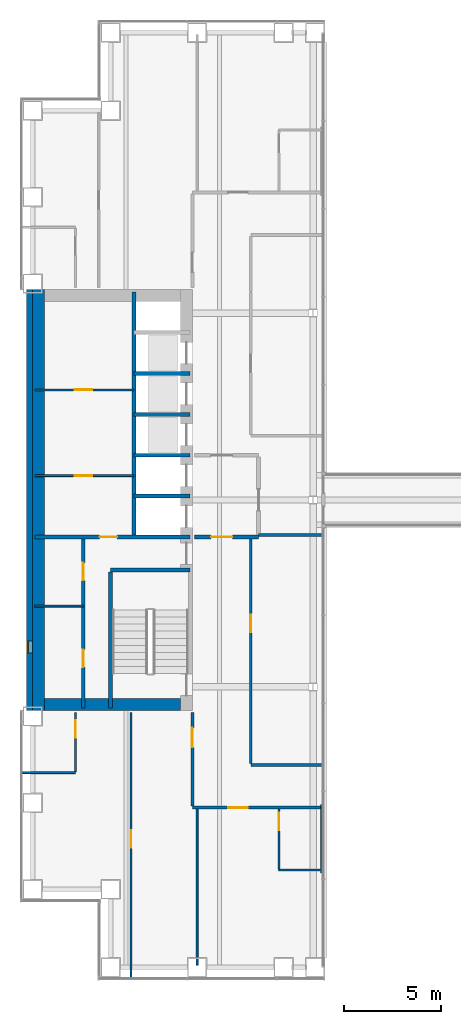
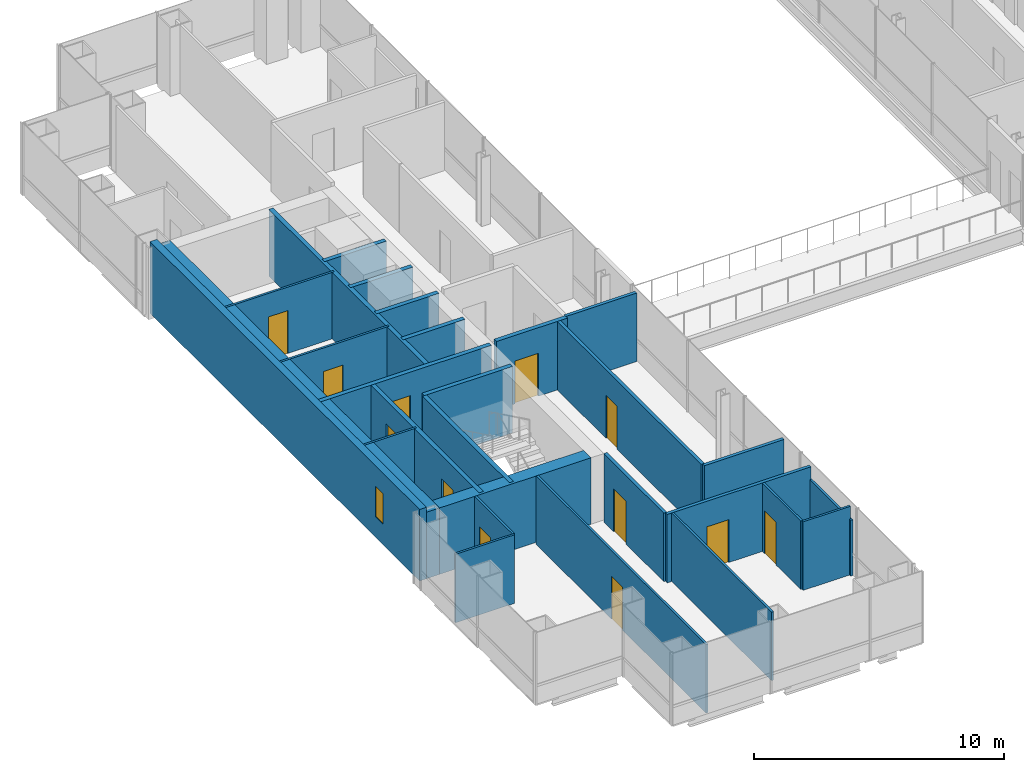
# One storey, part 14 of 19: 28 walls, 12 doors, 1 window, 13 openings.
"""IFC4 building model written with IfcOpenShell, lengths in metres."""

from ifc_helpers import new_model, si_unit, direction, frame, frame_2d, origin, place, context, subcontext, project, spatial, rectangle, extrude, material, layer, layer_set, type_object, element, fill, save


model = new_model("IFC4")

# Units and contexts
model_context = context("Model", 3, precision=1e-05, world=origin(), true_north=direction((0.0, 1.0)))
body_context = subcontext(model_context, "Body", "Model", "MODEL_VIEW")
ifc_project = project(units=[si_unit("LENGTHUNIT", "METRE"), si_unit("AREAUNIT", "SQUARE_METRE"), si_unit("VOLUMEUNIT", "CUBIC_METRE"), si_unit("PLANEANGLEUNIT", "RADIAN"), si_unit("MASSUNIT", "GRAM", prefix="KILO")], contexts=[model_context])

# Site, building, storey
site_placement = place(None, origin())
site = spatial("IfcSite", under=ifc_project, at=site_placement, CompositionType="ELEMENT")
building_placement = place(site_placement, origin())
building = spatial("IfcBuilding", under=site, at=building_placement, Name="Cobrizo Arcos Hotel Tower", CompositionType="ELEMENT")
storey_placement = place(building_placement, frame((0.0, 0.0, 63.5)))
storey = spatial("IfcBuildingStorey", under=building, at=storey_placement, Name="L14", CompositionType="ELEMENT", Elevation=63.5)

# Wall, opening, door
ifc_material_1 = material(Name="Gypsum board partition")
ifc_layer_1 = layer(ifc_material_1, 0.14990234375)
ifc_layer_set_1 = layer_set([ifc_layer_1], Name="Corridor wall EI 60 150")
wall_type_1 = type_object("IfcWallType", Name="Corridor wall EI 60 150", PredefinedType="PARTITIONING", material=ifc_layer_set_1)
wall_1_placement = place(storey_placement, frame((-15.800048828125, -15.800048828125, 0.0), z_axis=(0.0, 0.0, 1.0), x_axis=(1.0, 0.0, 0.0)))
wall_1 = element("IfcWall", 1, at=wall_1_placement, inside=storey, type_object=wall_type_1, Name="Partition 005", PredefinedType="PARTITIONING", context=body_context, shape_type="SweptSolid", body=[
    extrude(rectangle(XDim=6.650146484375, YDim=0.14990234375, at=frame_2d((3.3251953125, 0.0))), origin(), (0.0, 0.0, 1.0), 3.35009765625),
])
opening_1_placement = place(wall_1_placement, frame((1.846923828125, 0.0, 0.0)))
opening_1 = element("IfcOpeningElement", 2, at=opening_1_placement, cuts=wall_1, Name="Opening GD-04", PredefinedType="OPENING", context=body_context, shape_type="SweptSolid", body=[
    extrude(rectangle(XDim=1.0, YDim=2.10009765625, at=frame_2d((0.5, 1.050048828125))), frame((0.0, 0.0869140625, 0.0), z_axis=(0.0, -1.0, 0.0), x_axis=(1.0, 0.0, 0.0)), (0.0, 0.0, 1.0), 0.173828125),
])
ifc_material_2 = material(Name="Timber door leaf", Category="wood")
door_type_1 = type_object("IfcDoorType", Name="Guest room door FD30S 1000x2100", OperationType="SINGLE_SWING_LEFT", PredefinedType="DOOR", material=ifc_material_2)
door_1_placement = place(opening_1_placement, origin())
door_1 = element("IfcDoor", 3, at=door_1_placement, inside=storey, type_object=door_type_1, Name="Door GD-04", OperationType="SINGLE_SWING_LEFT", OverallHeight=2.10009765625, OverallWidth=1.0, PredefinedType="DOOR", context=body_context, shape_type="SweptSolid", body=[
    extrude(rectangle(XDim=1.0, YDim=2.10009765625, at=frame_2d((0.5, 1.050048828125))), frame((0.0, 0.02490234375, 0.0), z_axis=(0.0, -1.0, 0.0), x_axis=(1.0, 0.0, 0.0)), (0.0, 0.0, 1.0), 0.050048828125),
])
fill(opening_1, door_1)

# Walls
wall_2_placement = place(storey_placement, frame((-12.800048828125, -13.60009765625, 0.0), z_axis=(0.0, 0.0, 1.0), x_axis=(1.0, 0.0, 0.0)))
element("IfcWall", 4, at=wall_2_placement, inside=storey, type_object=wall_type_1, Name="Partition 008", PredefinedType="PARTITIONING", context=body_context, shape_type="SweptSolid", body=[
    extrude(rectangle(XDim=3.679931640625, YDim=0.14990234375, at=frame_2d((1.83984375, 0.0))), origin(), (0.0, 0.0, 1.0), 3.35009765625),
])
wall_3_placement = place(storey_placement, frame((-12.39990234375, -1.800048828125, 0.0), z_axis=(0.0, 0.0, 1.0), x_axis=(1.0, 0.0, 0.0)))
element("IfcWall", 5, at=wall_3_placement, inside=storey, type_object=wall_type_1, Name="Partition 018", PredefinedType="PARTITIONING", context=body_context, shape_type="SweptSolid", body=[
    extrude(rectangle(XDim=3.27978515625, YDim=0.14990234375, at=frame_2d((1.639892578125, 0.0))), origin(), (0.0, 0.0, 1.0), 3.35009765625),
])

# Wall, opening, door
wall_4_placement = place(storey_placement, frame((-15.800048828125, -15.72509765625, 0.0), z_axis=(0.0, 0.0, 1.0), x_axis=(0.0, 1.0, 0.0)))
wall_4 = element("IfcWall", 6, at=wall_4_placement, inside=storey, type_object=wall_type_1, Name="Partition 053", PredefinedType="PARTITIONING", context=body_context, shape_type="SweptSolid", body=[
    extrude(rectangle(XDim=4.80517578125, YDim=0.14990234375, at=frame_2d((2.402587890625, 0.0))), origin(), (0.0, 0.0, 1.0), 3.35009765625),
])
opening_2_placement = place(wall_4_placement, frame((3.02490234375, 0.0, 0.0)))
opening_2 = element("IfcOpeningElement", 7, at=opening_2_placement, cuts=wall_4, Name="Opening GD-05", PredefinedType="OPENING", context=body_context, shape_type="SweptSolid", body=[
    extrude(rectangle(XDim=1.0, YDim=2.10009765625, at=frame_2d((0.5, 1.050048828125))), frame((0.0, 0.0869140625, 0.0), z_axis=(0.0, -1.0, 0.0), x_axis=(1.0, 0.0, 0.0)), (0.0, 0.0, 1.0), 0.173828125),
])
door_2_placement = place(opening_2_placement, origin())
door_2 = element("IfcDoor", 8, at=door_2_placement, inside=storey, type_object=door_type_1, Name="Door GD-05", OperationType="SINGLE_SWING_LEFT", OverallHeight=2.10009765625, OverallWidth=1.0, PredefinedType="DOOR", context=body_context, shape_type="SweptSolid", body=[
    extrude(rectangle(XDim=1.0, YDim=2.10009765625, at=frame_2d((0.5, 1.050048828125))), frame((0.0, 0.02490234375, 0.0), z_axis=(0.0, -1.0, 0.0), x_axis=(1.0, 0.0, 0.0)), (0.0, 0.0, 1.0), 0.050048828125),
])
fill(opening_2, door_2)

wall_5_placement = place(storey_placement, frame((-12.800048828125, -13.52490234375, 0.0), z_axis=(0.0, 0.0, 1.0), x_axis=(0.0, 1.0, 0.0)))
wall_5 = element("IfcWall", 9, at=wall_5_placement, inside=storey, type_object=wall_type_1, Name="Partition 057", PredefinedType="PARTITIONING", context=body_context, shape_type="SweptSolid", body=[
    extrude(rectangle(XDim=11.52490234375, YDim=0.14990234375, at=frame_2d((5.762451171875, 0.0))), origin(), (0.0, 0.0, 1.0), 3.35009765625),
])
opening_3_placement = place(wall_5_placement, frame((6.72509765625, 0.0, 0.0)))
opening_3 = element("IfcOpeningElement", 10, at=opening_3_placement, cuts=wall_5, Name="Opening RD-17", PredefinedType="OPENING", context=body_context, shape_type="SweptSolid", body=[
    extrude(rectangle(XDim=0.89990234375, YDim=2.10009765625, at=frame_2d((0.449951171875, 1.050048828125))), frame((0.0, 0.0869140625, 0.0), z_axis=(0.0, -1.0, 0.0), x_axis=(1.0, 0.0, 0.0)), (0.0, 0.0, 1.0), 0.173828125),
])
door_type_2 = type_object("IfcDoorType", Name="Room door FD30 900x2100", OperationType="SINGLE_SWING_LEFT", PredefinedType="DOOR", material=ifc_material_2)
door_3_placement = place(opening_3_placement, origin())
door_3 = element("IfcDoor", 11, at=door_3_placement, inside=storey, type_object=door_type_2, Name="Door RD-17", OperationType="SINGLE_SWING_LEFT", OverallHeight=2.10009765625, OverallWidth=0.89990234375, PredefinedType="DOOR", context=body_context, shape_type="SweptSolid", body=[
    extrude(rectangle(XDim=0.89990234375, YDim=2.10009765625, at=frame_2d((0.449951171875, 1.050048828125))), frame((0.0, 0.02490234375, 0.0), z_axis=(0.0, -1.0, 0.0), x_axis=(1.0, 0.0, 0.0)), (0.0, 0.0, 1.0), 0.050048828125),
])
fill(opening_3, door_3)

# Wall, opening, window
ifc_material_3 = material(Name="Aluminium composite panel pale metal", Category="aluminium")
ifc_layer_2 = layer(ifc_material_3, 0.324951171875)
ifc_layer_set_2 = layer_set([ifc_layer_2], Name="EW-1 insulated panel wall 325")
wall_type_2 = type_object("IfcWallType", Name="EW-1 insulated panel wall 325", PredefinedType="SOLIDWALL", material=ifc_layer_set_2)
wall_6_placement = place(storey_placement, frame((-24.16259765625, 10.800048828125, 0.0), z_axis=(0.0, 0.0, 1.0), x_axis=(0.0, -1.0, 0.0)))
wall_6 = element("IfcWall", 12, at=wall_6_placement, inside=storey, type_object=wall_type_2, Name="Core face wall L14 W", PredefinedType="SOLIDWALL", context=body_context, shape_type="SweptSolid", body=[
    extrude(rectangle(XDim=21.60009765625, YDim=0.324951171875, at=frame_2d((10.800048828125, 0.0))), origin(), (0.0, 0.0, 1.0), 3.5),
])
opening_4_placement = place(wall_6_placement, frame((18.050048828125, 0.0, 1.0)))
opening_4 = element("IfcOpeningElement", 13, at=opening_4_placement, cuts=wall_6, Name="Opening W-24", PredefinedType="OPENING", context=body_context, shape_type="SweptSolid", body=[
    extrude(rectangle(XDim=0.60009765625, YDim=1.5, at=frame_2d((0.300048828125, 0.75))), frame((0.0, 0.174560546875, 0.0), z_axis=(0.0, -1.0, 0.0), x_axis=(1.0, 0.0, 0.0)), (0.0, 0.0, 1.0), 0.348876953125),
])
ifc_material_4 = material(Name="Aluminium 6063-T6 and clear laminated glass", Category="aluminium")
window_type = type_object("IfcWindowType", Name="W-C1 core stair slot window 600x1500", PartitioningType="SINGLE_PANEL", PredefinedType="WINDOW", material=ifc_material_4)
window_placement = place(opening_4_placement, origin())
window = element("IfcWindow", 14, at=window_placement, inside=storey, type_object=window_type, Name="Core face wall L14 W window W-24", OverallHeight=1.5, OverallWidth=0.60009765625, PartitioningType="SINGLE_PANEL", PredefinedType="WINDOW", context=body_context, shape_type="SweptSolid", body=[
    extrude(rectangle(XDim=0.60009765625, YDim=1.5, at=frame_2d((0.300048828125, 0.75))), frame((0.0, -0.072509765625, 0.0), z_axis=(0.0, -1.0, 0.0), x_axis=(1.0, 0.0, 0.0)), (0.0, 0.0, 1.0), 0.06005859375),
])
fill(opening_4, window)

# Walls
ifc_layer_3 = layer(ifc_material_1, 0.10009765625)
ifc_layer_set_3 = layer_set([ifc_layer_3], Name="Partition EI 30 100")
wall_type_3 = type_object("IfcWallType", Name="Partition EI 30 100", PredefinedType="PARTITIONING", material=ifc_layer_set_3)
wall_7_placement = place(storey_placement, frame((-11.35009765625, -19.0, 0.0), z_axis=(0.0, 0.0, 1.0), x_axis=(1.0, 0.0, 0.0)))
element("IfcWall", 15, at=wall_7_placement, inside=storey, type_object=wall_type_3, Name="Partition 002", PredefinedType="PARTITIONING", context=body_context, shape_type="SweptSolid", body=[
    extrude(rectangle(XDim=2.2001953125, YDim=0.10009765625, at=frame_2d((1.10009765625, 0.0))), origin(), (0.0, 0.0, 1.0), 3.35009765625),
])
wall_8_placement = place(storey_placement, frame((-24.530029296875, -14.0, 0.0), z_axis=(0.0, 0.0, 1.0), x_axis=(1.0, 0.0, 0.0)))
element("IfcWall", 16, at=wall_8_placement, inside=storey, type_object=wall_type_3, Name="Partition 007", PredefinedType="PARTITIONING", context=body_context, shape_type="SweptSolid", body=[
    extrude(rectangle(XDim=2.72998046875, YDim=0.10009765625, at=frame_2d((1.364990234375, 0.0))), origin(), (0.0, 0.0, 1.0), 3.35009765625),
])
wall_9_placement = place(storey_placement, frame((-23.8798828125, -5.449951171875, 0.0), z_axis=(0.0, 0.0, 1.0), x_axis=(1.0, 0.0, 0.0)))
element("IfcWall", 17, at=wall_9_placement, inside=storey, type_object=wall_type_3, Name="Partition 010", PredefinedType="PARTITIONING", context=body_context, shape_type="SweptSolid", body=[
    extrude(rectangle(XDim=2.47998046875, YDim=0.10009765625, at=frame_2d((1.239990234375, 0.0))), origin(), (0.0, 0.0, 1.0), 3.25),
])

# Wall, opening, door
wall_10_placement = place(storey_placement, frame((-23.8798828125, 1.25, 0.0), z_axis=(0.0, 0.0, 1.0), x_axis=(1.0, 0.0, 0.0)))
wall_10 = element("IfcWall", 18, at=wall_10_placement, inside=storey, type_object=wall_type_3, Name="Partition 022", PredefinedType="PARTITIONING", context=body_context, shape_type="SweptSolid", body=[
    extrude(rectangle(XDim=5.079833984375, YDim=0.10009765625, at=frame_2d((2.5400390625, 0.0))), origin(), (0.0, 0.0, 1.0), 3.25),
])
opening_5_placement = place(wall_10_placement, frame((2.030029296875, 0.0, 0.0)))
opening_5 = element("IfcOpeningElement", 19, at=opening_5_placement, cuts=wall_10, Name="Opening RD-04", PredefinedType="OPENING", context=body_context, shape_type="SweptSolid", body=[
    extrude(rectangle(XDim=0.89990234375, YDim=2.10009765625, at=frame_2d((0.449951171875, 1.050048828125))), frame((0.0, 0.06201171875, 0.0), z_axis=(0.0, -1.0, 0.0), x_axis=(1.0, 0.0, 0.0)), (0.0, 0.0, 1.0), 0.1240234375),
])
door_4_placement = place(opening_5_placement, origin())
door_4 = element("IfcDoor", 20, at=door_4_placement, inside=storey, type_object=door_type_2, Name="Door RD-04", OperationType="SINGLE_SWING_LEFT", OverallHeight=2.10009765625, OverallWidth=0.89990234375, PredefinedType="DOOR", context=body_context, shape_type="SweptSolid", body=[
    extrude(rectangle(XDim=0.89990234375, YDim=2.10009765625, at=frame_2d((0.449951171875, 1.050048828125))), frame((0.0, 0.02490234375, 0.0), z_axis=(0.0, -1.0, 0.0), x_axis=(1.0, 0.0, 0.0)), (0.0, 0.0, 1.0), 0.050048828125),
])
fill(opening_5, door_4)

wall_11_placement = place(storey_placement, frame((-23.8798828125, 5.64990234375, 0.0), z_axis=(0.0, 0.0, 1.0), x_axis=(1.0, 0.0, 0.0)))
wall_11 = element("IfcWall", 21, at=wall_11_placement, inside=storey, type_object=wall_type_3, Name="Partition 032", PredefinedType="PARTITIONING", context=body_context, shape_type="SweptSolid", body=[
    extrude(rectangle(XDim=5.079833984375, YDim=0.10009765625, at=frame_2d((2.5400390625, 0.0))), origin(), (0.0, 0.0, 1.0), 3.25),
])
opening_6_placement = place(wall_11_placement, frame((2.030029296875, 0.0, 0.0)))
opening_6 = element("IfcOpeningElement", 22, at=opening_6_placement, cuts=wall_11, Name="Opening RD-05", PredefinedType="OPENING", context=body_context, shape_type="SweptSolid", body=[
    extrude(rectangle(XDim=0.89990234375, YDim=2.10009765625, at=frame_2d((0.449951171875, 1.050048828125))), frame((0.0, 0.06201171875, 0.0), z_axis=(0.0, -1.0, 0.0), x_axis=(1.0, 0.0, 0.0)), (0.0, 0.0, 1.0), 0.1240234375),
])
door_5_placement = place(opening_6_placement, origin())
door_5 = element("IfcDoor", 23, at=door_5_placement, inside=storey, type_object=door_type_2, Name="Door RD-05", OperationType="SINGLE_SWING_LEFT", OverallHeight=2.10009765625, OverallWidth=0.89990234375, PredefinedType="DOOR", context=body_context, shape_type="SweptSolid", body=[
    extrude(rectangle(XDim=0.89990234375, YDim=2.10009765625, at=frame_2d((0.449951171875, 1.050048828125))), frame((0.0, 0.02490234375, 0.0), z_axis=(0.0, -1.0, 0.0), x_axis=(1.0, 0.0, 0.0)), (0.0, 0.0, 1.0), 0.050048828125),
])
fill(opening_6, door_5)

wall_12_placement = place(storey_placement, frame((-21.800048828125, -13.949951171875, 0.0), z_axis=(0.0, 0.0, 1.0), x_axis=(0.0, 1.0, 0.0)))
wall_12 = element("IfcWall", 24, at=wall_12_placement, inside=storey, type_object=wall_type_3, Name="Partition 046", PredefinedType="PARTITIONING", context=body_context, shape_type="SweptSolid", body=[
    extrude(rectangle(XDim=3.030029296875, YDim=0.10009765625, at=frame_2d((1.51513671875, 0.0))), origin(), (0.0, 0.0, 1.0), 3.35009765625),
])
opening_7_placement = place(wall_12_placement, frame((1.739990234375, 0.0, 0.0)))
opening_7 = element("IfcOpeningElement", 25, at=opening_7_placement, cuts=wall_12, Name="Opening ED-05", PredefinedType="OPENING", context=body_context, shape_type="SweptSolid", body=[
    extrude(rectangle(XDim=0.89990234375, YDim=2.10009765625, at=frame_2d((0.449951171875, 1.050048828125))), frame((0.0, 0.06201171875, 0.0), z_axis=(0.0, -1.0, 0.0), x_axis=(1.0, 0.0, 0.0)), (0.0, 0.0, 1.0), 0.1240234375),
])
door_type_3 = type_object("IfcDoorType", Name="En-suite door 900x2100", OperationType="SINGLE_SWING_LEFT", PredefinedType="DOOR", material=ifc_material_2)
door_6_placement = place(opening_7_placement, origin())
door_6 = element("IfcDoor", 26, at=door_6_placement, inside=storey, type_object=door_type_3, Name="Door ED-05", OperationType="SINGLE_SWING_LEFT", OverallHeight=2.10009765625, OverallWidth=0.89990234375, PredefinedType="DOOR", context=body_context, shape_type="SweptSolid", body=[
    extrude(rectangle(XDim=0.89990234375, YDim=2.10009765625, at=frame_2d((0.449951171875, 1.050048828125))), frame((0.0, 0.02490234375, 0.0), z_axis=(0.0, -1.0, 0.0), x_axis=(1.0, 0.0, 0.0)), (0.0, 0.0, 1.0), 0.050048828125),
])
fill(opening_7, door_6)

wall_13_placement = place(storey_placement, frame((-18.949951171875, -24.530029296875, 0.0), z_axis=(0.0, 0.0, 1.0), x_axis=(0.0, 1.0, 0.0)))
wall_13 = element("IfcWall", 27, at=wall_13_placement, inside=storey, type_object=wall_type_3, Name="Partition 051", PredefinedType="PARTITIONING", context=body_context, shape_type="SweptSolid", body=[
    extrude(rectangle(XDim=13.610107421875, YDim=0.10009765625, at=frame_2d((6.80517578125, 0.0))), origin(), (0.0, 0.0, 1.0), 3.35009765625),
])
opening_8_placement = place(wall_13_placement, frame((6.679931640625, 0.0, 0.0)))
opening_8 = element("IfcOpeningElement", 28, at=opening_8_placement, cuts=wall_13, Name="Opening RD-11", PredefinedType="OPENING", context=body_context, shape_type="SweptSolid", body=[
    extrude(rectangle(XDim=0.89990234375, YDim=2.10009765625, at=frame_2d((0.449951171875, 1.050048828125))), frame((0.0, 0.06201171875, 0.0), z_axis=(0.0, -1.0, 0.0), x_axis=(1.0, 0.0, 0.0)), (0.0, 0.0, 1.0), 0.1240234375),
])
door_7_placement = place(opening_8_placement, origin())
door_7 = element("IfcDoor", 29, at=door_7_placement, inside=storey, type_object=door_type_2, Name="Door RD-11", OperationType="SINGLE_SWING_LEFT", OverallHeight=2.10009765625, OverallWidth=0.89990234375, PredefinedType="DOOR", context=body_context, shape_type="SweptSolid", body=[
    extrude(rectangle(XDim=0.89990234375, YDim=2.10009765625, at=frame_2d((0.449951171875, 1.050048828125))), frame((0.0, 0.02490234375, 0.0), z_axis=(0.0, -1.0, 0.0), x_axis=(1.0, 0.0, 0.0)), (0.0, 0.0, 1.0), 0.050048828125),
])
fill(opening_8, door_7)

# Wall
wall_14_placement = place(storey_placement, frame((-15.550048828125, -23.8798828125, 0.0), z_axis=(0.0, 0.0, 1.0), x_axis=(0.0, 1.0, 0.0)))
element("IfcWall", 30, at=wall_14_placement, inside=storey, type_object=wall_type_3, Name="Partition 055", PredefinedType="PARTITIONING", context=body_context, shape_type="SweptSolid", body=[
    extrude(rectangle(XDim=8.0048828125, YDim=0.10009765625, at=frame_2d((4.00244140625, 0.0))), origin(), (0.0, 0.0, 1.0), 3.35009765625),
])

# Wall, opening, door
wall_15_placement = place(storey_placement, frame((-11.35009765625, -18.949951171875, 0.0), z_axis=(0.0, 0.0, 1.0), x_axis=(0.0, 1.0, 0.0)))
wall_15 = element("IfcWall", 31, at=wall_15_placement, inside=storey, type_object=wall_type_3, Name="Partition 061", PredefinedType="PARTITIONING", context=body_context, shape_type="SweptSolid", body=[
    extrude(rectangle(XDim=3.074951171875, YDim=0.10009765625, at=frame_2d((1.53759765625, 0.0))), origin(), (0.0, 0.0, 1.0), 3.35009765625),
])
opening_9_placement = place(wall_15_placement, frame((1.99609375, 0.0, 0.0)))
opening_9 = element("IfcOpeningElement", 32, at=opening_9_placement, cuts=wall_15, Name="Opening ED-04", PredefinedType="OPENING", context=body_context, shape_type="SweptSolid", body=[
    extrude(rectangle(XDim=0.89990234375, YDim=2.10009765625, at=frame_2d((0.449951171875, 1.050048828125))), frame((0.0, 0.06201171875, 0.0), z_axis=(0.0, -1.0, 0.0), x_axis=(1.0, 0.0, 0.0)), (0.0, 0.0, 1.0), 0.1240234375),
])
door_8_placement = place(opening_9_placement, origin())
door_8 = element("IfcDoor", 33, at=door_8_placement, inside=storey, type_object=door_type_3, Name="Door ED-04", OperationType="SINGLE_SWING_LEFT", OverallHeight=2.10009765625, OverallWidth=0.89990234375, PredefinedType="DOOR", context=body_context, shape_type="SweptSolid", body=[
    extrude(rectangle(XDim=0.89990234375, YDim=2.10009765625, at=frame_2d((0.449951171875, 1.050048828125))), frame((0.0, 0.02490234375, 0.0), z_axis=(0.0, -1.0, 0.0), x_axis=(1.0, 0.0, 0.0)), (0.0, 0.0, 1.0), 0.050048828125),
])
fill(opening_9, door_8)

# Walls
wall_16_placement = place(storey_placement, frame((-9.14990234375, -19.139892578125, 0.0), z_axis=(0.0, 0.0, 1.0), x_axis=(0.0, 1.0, 0.0)))
element("IfcWall", 34, at=wall_16_placement, inside=storey, type_object=wall_type_3, Name="Partition 063", PredefinedType="PARTITIONING", context=body_context, shape_type="SweptSolid", body=[
    extrude(rectangle(XDim=3.47998046875, YDim=0.10009765625, at=frame_2d((1.739990234375, 0.0))), origin(), (0.0, 0.0, 1.0), 2.73291015625),
])
ifc_material_5 = material(Name="Concrete f'c 60 MPa", Category="concrete")
ifc_layer_4 = layer(ifc_material_5, 0.60009765625)
ifc_layer_set_4 = layer_set([ifc_layer_4], Name="RC core wall 600 f'c 60")
wall_type_4 = type_object("IfcWallType", Name="RC core wall 600 f'c 60", PredefinedType="SHEAR", material=ifc_layer_set_4)
wall_17_placement = place(storey_placement, frame((-23.699951171875, -10.800048828125, 0.0), z_axis=(0.0, 0.0, 1.0), x_axis=(0.0, 1.0, 0.0)))
element("IfcWall", 35, at=wall_17_placement, inside=storey, type_object=wall_type_4, Name="Core wall CW1, west core, outer face, L14", PredefinedType="SHEAR", context=body_context, shape_type="SweptSolid", body=[
    extrude(rectangle(XDim=21.60009765625, YDim=0.60009765625, at=frame_2d((10.800048828125, 0.0))), origin(), (0.0, 0.0, 1.0), 3.25),
])
wall_18_placement = place(storey_placement, frame((-23.39990234375, -10.5, 0.0), z_axis=(0.0, 0.0, 1.0), x_axis=(1.0, 0.0, 0.0)))
element("IfcWall", 36, at=wall_18_placement, inside=storey, type_object=wall_type_4, Name="Core wall CW1, west core, south end, L14", PredefinedType="SHEAR", context=body_context, shape_type="SweptSolid", body=[
    extrude(rectangle(XDim=7.0, YDim=0.60009765625, at=frame_2d((3.5, 0.0))), origin(), (0.0, 0.0, 1.0), 3.25),
])

# Wall, opening, door
ifc_layer_5 = layer(ifc_material_1, 0.199951171875)
ifc_layer_set_5 = layer_set([ifc_layer_5], Name="Shaft wall EI 120 200")
wall_type_5 = type_object("IfcWallType", Name="Shaft wall EI 120 200", PredefinedType="PARTITIONING", material=ifc_layer_set_5)
wall_19_placement = place(storey_placement, frame((-23.8798828125, -1.89990234375, 0.0), z_axis=(0.0, 0.0, 1.0), x_axis=(1.0, 0.0, 0.0)))
wall_19 = element("IfcWall", 37, at=wall_19_placement, inside=storey, type_object=wall_type_5, Name="Partition 014", PredefinedType="PARTITIONING", context=body_context, shape_type="SweptSolid", body=[
    extrude(rectangle(XDim=7.9599609375, YDim=0.199951171875, at=frame_2d((3.97998046875, 0.0))), origin(), (0.0, 0.0, 1.0), 3.25),
])
opening_10_placement = place(wall_19_placement, frame((3.320068359375, 0.0, 0.0)))
opening_10 = element("IfcOpeningElement", 38, at=opening_10_placement, cuts=wall_19, Name="Opening RD-03", PredefinedType="OPENING", context=body_context, shape_type="SweptSolid", body=[
    extrude(rectangle(XDim=0.89990234375, YDim=2.10009765625, at=frame_2d((0.449951171875, 1.050048828125))), frame((0.0, 0.112060546875, 0.0), z_axis=(0.0, -1.0, 0.0), x_axis=(1.0, 0.0, 0.0)), (0.0, 0.0, 1.0), 0.223876953125),
])
door_9_placement = place(opening_10_placement, origin())
door_9 = element("IfcDoor", 39, at=door_9_placement, inside=storey, type_object=door_type_2, Name="Door RD-03", OperationType="SINGLE_SWING_RIGHT", OverallHeight=2.10009765625, OverallWidth=0.89990234375, PredefinedType="DOOR", context=body_context, shape_type="SweptSolid", body=[
    extrude(rectangle(XDim=0.89990234375, YDim=2.10009765625, at=frame_2d((0.449951171875, 1.050048828125))), frame((0.0, 0.02490234375, 0.0), z_axis=(0.0, -1.0, 0.0), x_axis=(1.0, 0.0, 0.0)), (0.0, 0.0, 1.0), 0.050048828125),
])
fill(opening_10, door_9)

wall_20_placement = place(storey_placement, frame((-15.679931640625, -1.89990234375, 0.0), z_axis=(0.0, 0.0, 1.0), x_axis=(1.0, 0.0, 0.0)))
wall_20 = element("IfcWall", 40, at=wall_20_placement, inside=storey, type_object=wall_type_5, Name="Partition 015", PredefinedType="PARTITIONING", context=body_context, shape_type="SweptSolid", body=[
    extrude(rectangle(XDim=3.280029296875, YDim=0.199951171875, at=frame_2d((1.64013671875, 0.0))), origin(), (0.0, 0.0, 1.0), 3.35009765625),
])
opening_11_placement = place(wall_20_placement, frame((0.840087890625, 0.0, 0.0)))
opening_11 = element("IfcOpeningElement", 41, at=opening_11_placement, cuts=wall_20, Name="Opening FD-03", PredefinedType="OPENING", context=body_context, shape_type="SweptSolid", body=[
    extrude(rectangle(XDim=1.10009765625, YDim=2.10009765625, at=frame_2d((0.550048828125, 1.050048828125))), frame((0.0, 0.112060546875, 0.0), z_axis=(0.0, -1.0, 0.0), x_axis=(1.0, 0.0, 0.0)), (0.0, 0.0, 1.0), 0.223876953125),
])
ifc_material_6 = material(Name="Steel door leaf", Category="steel")
door_type_4 = type_object("IfcDoorType", Name="Fire door FD60 1100x2100", OperationType="SINGLE_SWING_LEFT", PredefinedType="DOOR", material=ifc_material_6)
door_10_placement = place(opening_11_placement, origin())
door_10 = element("IfcDoor", 42, at=door_10_placement, inside=storey, type_object=door_type_4, Name="Door FD-03", OperationType="SINGLE_SWING_LEFT", OverallHeight=2.10009765625, OverallWidth=1.10009765625, PredefinedType="DOOR", context=body_context, shape_type="SweptSolid", body=[
    extrude(rectangle(XDim=1.10009765625, YDim=2.10009765625, at=frame_2d((0.550048828125, 1.050048828125))), frame((0.0, 0.02490234375, 0.0), z_axis=(0.0, -1.0, 0.0), x_axis=(1.0, 0.0, 0.0)), (0.0, 0.0, 1.0), 0.050048828125),
])
fill(opening_11, door_10)

# Walls
for number, where, z_axis, x_axis, name in (
    (43, (-18.800048828125, 0.199951171875, 0.0), (0.0, 0.0, 1.0), (1.0, 0.0, 0.0), "Partition 020"),
    (44, (-18.800048828125, 2.300048828125, 0.0), (0.0, 0.0, 1.0), (1.0, 0.0, 0.0), "Partition 024"),
    (45, (-18.800048828125, 4.39990234375, 0.0), (0.0, 0.0, 1.0), (1.0, 0.0, 0.0), "Partition 030"),
    (46, (-18.800048828125, 6.5, 0.0), (0.0, 0.0, 1.0), (1.0, 0.0, 0.0), "Partition 034"),
):
    element("IfcWall", number, at=place(storey_placement, frame(where, z_axis=z_axis, x_axis=x_axis)), inside=storey, type_object=wall_type_5, Name=name, PredefinedType="PARTITIONING", context=body_context, shape_type="SweptSolid", body=[
        extrude(rectangle(XDim=2.880126953125, YDim=0.199951171875, at=frame_2d((1.43994140625, 0.0))), origin(), (0.0, 0.0, 1.0), 3.25),
    ])

# Wall, openings, doors
wall_21_placement = place(storey_placement, frame((-21.39990234375, -10.679931640625, 0.0), z_axis=(0.0, 0.0, 1.0), x_axis=(0.0, 1.0, 0.0)))
wall_21 = element("IfcWall", 47, at=wall_21_placement, inside=storey, type_object=wall_type_5, Name="Partition 048", PredefinedType="PARTITIONING", context=body_context, shape_type="SweptSolid", body=[
    extrude(rectangle(XDim=8.679931640625, YDim=0.199951171875, at=frame_2d((4.33984375, 0.0))), origin(), (0.0, 0.0, 1.0), 3.25),
])
opening_12_placement = place(wall_21_placement, frame((2.10009765625, 0.0, 0.0)))
opening_12 = element("IfcOpeningElement", 48, at=opening_12_placement, cuts=wall_21, Name="Opening RD-01", PredefinedType="OPENING", context=body_context, shape_type="SweptSolid", body=[
    extrude(rectangle(XDim=0.89990234375, YDim=2.10009765625, at=frame_2d((0.449951171875, 1.050048828125))), frame((0.0, 0.112060546875, 0.0), z_axis=(0.0, -1.0, 0.0), x_axis=(1.0, 0.0, 0.0)), (0.0, 0.0, 1.0), 0.223876953125),
])
opening_13_placement = place(wall_21_placement, frame((6.550048828125, 0.0, 0.0)))
opening_13 = element("IfcOpeningElement", 49, at=opening_13_placement, cuts=wall_21, Name="Opening RD-02", PredefinedType="OPENING", context=body_context, shape_type="SweptSolid", body=[
    extrude(rectangle(XDim=0.89990234375, YDim=2.10009765625, at=frame_2d((0.449951171875, 1.050048828125))), frame((0.0, 0.112060546875, 0.0), z_axis=(0.0, -1.0, 0.0), x_axis=(1.0, 0.0, 0.0)), (0.0, 0.0, 1.0), 0.223876953125),
])
door_11_placement = place(opening_12_placement, origin())
door_11 = element("IfcDoor", 50, at=door_11_placement, inside=storey, type_object=door_type_2, Name="Door RD-01", OperationType="SINGLE_SWING_RIGHT", OverallHeight=2.10009765625, OverallWidth=0.89990234375, PredefinedType="DOOR", context=body_context, shape_type="SweptSolid", body=[
    extrude(rectangle(XDim=0.89990234375, YDim=2.10009765625, at=frame_2d((0.449951171875, 1.050048828125))), frame((0.0, 0.02490234375, 0.0), z_axis=(0.0, -1.0, 0.0), x_axis=(1.0, 0.0, 0.0)), (0.0, 0.0, 1.0), 0.050048828125),
])
fill(opening_12, door_11)
door_12_placement = place(opening_13_placement, origin())
door_12 = element("IfcDoor", 51, at=door_12_placement, inside=storey, type_object=door_type_2, Name="Door RD-02", OperationType="SINGLE_SWING_LEFT", OverallHeight=2.10009765625, OverallWidth=0.89990234375, PredefinedType="DOOR", context=body_context, shape_type="SweptSolid", body=[
    extrude(rectangle(XDim=0.89990234375, YDim=2.10009765625, at=frame_2d((0.449951171875, 1.050048828125))), frame((0.0, 0.02490234375, 0.0), z_axis=(0.0, -1.0, 0.0), x_axis=(1.0, 0.0, 0.0)), (0.0, 0.0, 1.0), 0.050048828125),
])
fill(opening_13, door_12)

# Walls
wall_22_placement = place(storey_placement, frame((-18.800048828125, -1.800048828125, 0.0), z_axis=(0.0, 0.0, 1.0), x_axis=(0.0, 1.0, 0.0)))
element("IfcWall", 52, at=wall_22_placement, inside=storey, type_object=wall_type_5, Name="Partition 052", PredefinedType="PARTITIONING", context=body_context, shape_type="SweptSolid", body=[
    extrude(rectangle(XDim=12.47998046875, YDim=0.199951171875, at=frame_2d((6.239990234375, 0.0))), origin(), (0.0, 0.0, 1.0), 3.25),
])
ifc_material_7 = material(Name="Concrete f'c 40 MPa", Category="concrete")
ifc_layer_6 = layer(ifc_material_7, 0.199951171875)
ifc_layer_set_6 = layer_set([ifc_layer_6], Name="Stair shaft wall 200")
wall_type_6 = type_object("IfcWallType", Name="Stair shaft wall 200", PredefinedType="SHEAR", material=ifc_layer_set_6)
wall_23_placement = place(storey_placement, frame((-20.0, -3.60009765625, 0.0), z_axis=(0.0, 0.0, 1.0), x_axis=(1.0, 0.0, 0.0)))
element("IfcWall", 53, at=wall_23_placement, inside=storey, type_object=wall_type_6, Name="Stair shaft wall W", PredefinedType="SHEAR", context=body_context, shape_type="SweptSolid", body=[
    extrude(rectangle(XDim=4.080078125, YDim=0.199951171875, at=frame_2d((2.0400390625, 0.0))), origin(), (0.0, 0.0, 1.0), 3.25),
])
wall_24_placement = place(storey_placement, frame((-20.0, -10.679931640625, 0.0), z_axis=(0.0, 0.0, 1.0), x_axis=(0.0, 1.0, 0.0)))
element("IfcWall", 54, at=wall_24_placement, inside=storey, type_object=wall_type_6, Name="Stair shaft wall W", PredefinedType="SHEAR", context=body_context, shape_type="SweptSolid", body=[
    extrude(rectangle(XDim=6.97998046875, YDim=0.199951171875, at=frame_2d((3.489990234375, 0.0))), origin(), (0.0, 0.0, 1.0), 3.25),
])

save(model, "model.ifc")
